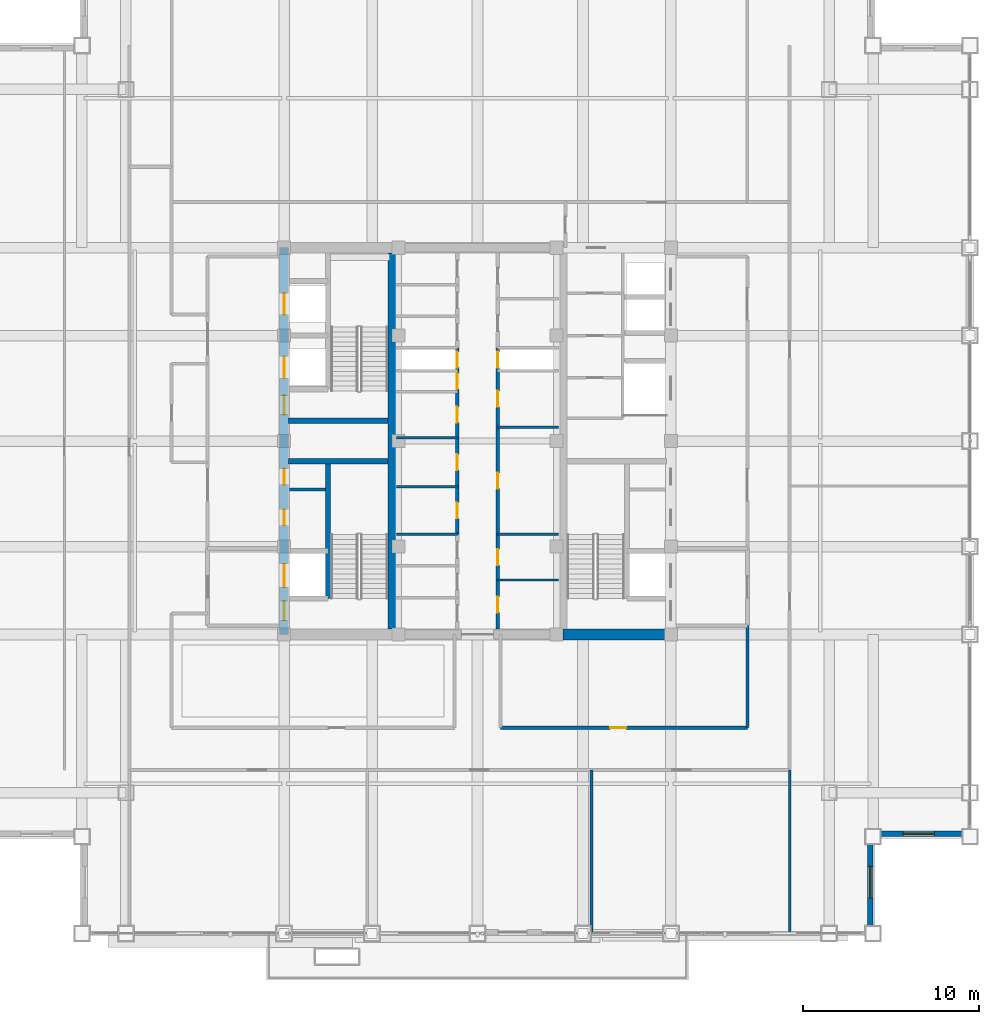
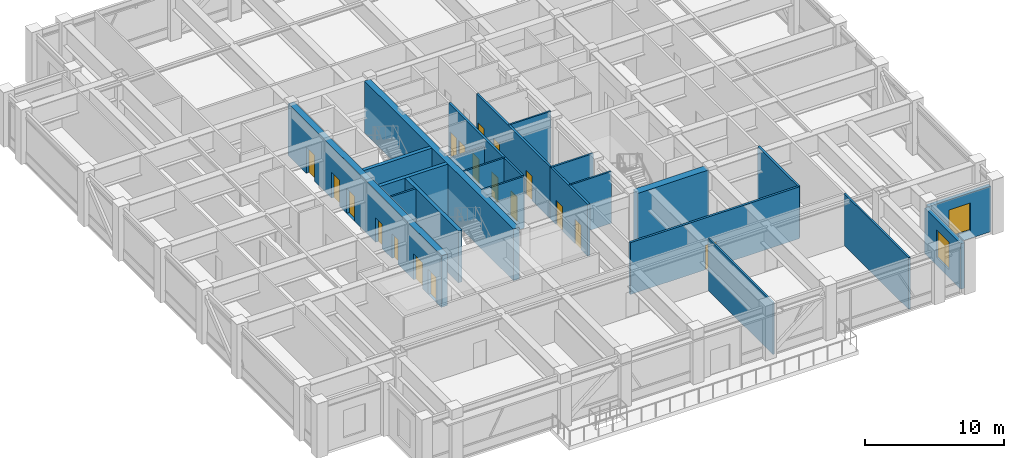
# One storey, part 23 of 31: 22 walls, 18 doors, 2 windows, 20 openings.
"""IFC4 building model written with IfcOpenShell, lengths in metres."""

from ifc_helpers import new_model, si_unit, direction, frame, frame_2d, origin, place, context, subcontext, project, spatial, rectangle, extrude, source, transform, mapped, material, layer, layer_set, type_object, element, fill, save


model = new_model("IFC4")

# Units and contexts
model_context = context("Model", 3, precision=1e-05, world=origin(), true_north=direction((0.0, 1.0)))
body_context = subcontext(model_context, "Body", "Model", "MODEL_VIEW")
ifc_project = project(units=[si_unit("LENGTHUNIT", "METRE"), si_unit("AREAUNIT", "SQUARE_METRE"), si_unit("VOLUMEUNIT", "CUBIC_METRE"), si_unit("PLANEANGLEUNIT", "RADIAN"), si_unit("MASSUNIT", "GRAM", prefix="KILO")], contexts=[model_context])

# Site, building, storey
site_placement = place(None, origin())
site = spatial("IfcSite", under=ifc_project, at=site_placement, CompositionType="ELEMENT")
building_placement = place(site_placement, origin())
building = spatial("IfcBuilding", under=site, at=building_placement, Name="Khorayat Bourse Tower", CompositionType="ELEMENT")
storey_placement = place(building_placement, frame((0.0, 0.0, 321.5)))
storey = spatial("IfcBuildingStorey", under=building, at=storey_placement, Name="L76", CompositionType="ELEMENT", Elevation=321.5)

# Wall, openings, doors
ifc_material_1 = material(Name="Concrete C52/65", Category="concrete")
ifc_layer_1 = layer(ifc_material_1, 0.5)
ifc_layer_set_1 = layer_set([ifc_layer_1], Name="Concrete C52/65")
wall_type_1 = type_object("IfcWallType", Name="WAL-CORE-500", PredefinedType="SHEAR", material=ifc_layer_set_1)
shared_shape_1 = source(origin(), body_context, "Body", "SweptSolid", [
    extrude(rectangle(XDim=22.0, YDim=0.5, at=frame_2d((11.0, 0.0))), origin(), (0.0, 0.0, 1.0), 4.5400390625),
])
wall_1_placement = place(storey_placement, frame((-11.0, -11.0, 0.0), z_axis=(0.0, 0.0, 1.0), x_axis=(0.0, 1.0, 0.0)))
wall_1 = element("IfcWall", 1, at=wall_1_placement, inside=storey, type_object=wall_type_1, Name="L76 Core Shear Wall CORE-W", PredefinedType="SHEAR", context=body_context, shape_type="MappedRepresentation", body=[
    mapped(shared_shape_1, transform((0.0, 0.0, 0.0), scale=1.0)),
])
shared_shape_2 = source(origin(), body_context, "Body", "SweptSolid", [
    extrude(rectangle(XDim=1.10009765625, YDim=2.199951171875, at=frame_2d((0.550048828125, 1.10009765625))), frame((0.0, 0.260009765625, 0.0), z_axis=(0.0, -1.0, 0.0), x_axis=(1.0, 0.0, 0.0)), (0.0, 0.0, 1.0), 0.52001953125),
])
opening_1_placement = place(wall_1_placement, frame((0.800048828125, 0.0, 0.0)))
opening_1 = element("IfcOpeningElement", 2, at=opening_1_placement, cuts=wall_1, Name="Opening DI-01", PredefinedType="OPENING", context=body_context, shape_type="MappedRepresentation", body=[
    mapped(shared_shape_2, transform((0.0, 0.0, 0.0), scale=1.0)),
])
opening_2_placement = place(wall_1_placement, frame((12.5, 0.0, 0.0)))
opening_2 = element("IfcOpeningElement", 3, at=opening_2_placement, cuts=wall_1, Name="Opening DI-01", PredefinedType="OPENING", context=body_context, shape_type="MappedRepresentation", body=[
    mapped(shared_shape_2, transform((0.0, 0.0, 0.0), scale=1.0)),
])
shared_shape_3 = source(origin(), body_context, "Body", "SweptSolid", [
    extrude(rectangle(XDim=0.89990234375, YDim=2.14990234375, at=frame_2d((0.449951171875, 1.074951171875))), frame((0.0, 0.260009765625, 0.0), z_axis=(0.0, -1.0, 0.0), x_axis=(1.0, 0.0, 0.0)), (0.0, 0.0, 1.0), 0.52001953125),
])
opening_3_placement = place(wall_1_placement, frame((6.199951171875, 0.0, 0.0)))
opening_3 = element("IfcOpeningElement", 4, at=opening_3_placement, cuts=wall_1, Name="Opening DI-06", PredefinedType="OPENING", context=body_context, shape_type="MappedRepresentation", body=[
    mapped(shared_shape_3, transform((0.0, 0.0, 0.0), scale=1.0)),
])
opening_4_placement = place(wall_1_placement, frame((8.52490234375, 0.0, 0.0)))
opening_4 = element("IfcOpeningElement", 5, at=opening_4_placement, cuts=wall_1, Name="Opening DI-06", PredefinedType="OPENING", context=body_context, shape_type="MappedRepresentation", body=[
    mapped(shared_shape_3, transform((0.0, 0.0, 0.0), scale=1.0)),
])
shared_shape_4 = source(origin(), body_context, "Body", "SweptSolid", [
    extrude(rectangle(XDim=1.199951171875, YDim=2.300048828125, at=frame_2d((0.60009765625, 1.14990234375))), frame((0.0, 0.260009765625, 0.0), z_axis=(0.0, -1.0, 0.0), x_axis=(1.0, 0.0, 0.0)), (0.0, 0.0, 1.0), 0.52001953125),
])
opening_5_placement = place(wall_1_placement, frame((14.60009765625, 0.0, 0.0)))
opening_5 = element("IfcOpeningElement", 6, at=opening_5_placement, cuts=wall_1, Name="Opening LD-01", PredefinedType="OPENING", context=body_context, shape_type="MappedRepresentation", body=[
    mapped(shared_shape_4, transform((0.0, 0.0, 0.0), scale=1.0)),
])
opening_6_placement = place(wall_1_placement, frame((18.199951171875, 0.0, 0.0)))
opening_6 = element("IfcOpeningElement", 7, at=opening_6_placement, cuts=wall_1, Name="Opening LD-01", PredefinedType="OPENING", context=body_context, shape_type="MappedRepresentation", body=[
    mapped(shared_shape_4, transform((0.0, 0.0, 0.0), scale=1.0)),
])
shared_shape_5 = source(origin(), body_context, "Body", "SweptSolid", [
    extrude(rectangle(XDim=1.300048828125, YDim=2.300048828125, at=frame_2d((0.64990234375, 1.14990234375))), frame((0.0, 0.260009765625, 0.0), z_axis=(0.0, -1.0, 0.0), x_axis=(1.0, 0.0, 0.0)), (0.0, 0.0, 1.0), 0.52001953125),
])
opening_7_placement = place(wall_1_placement, frame((2.699951171875, 0.0, 0.0)))
opening_7 = element("IfcOpeningElement", 8, at=opening_7_placement, cuts=wall_1, Name="Opening LD-02", PredefinedType="OPENING", context=body_context, shape_type="MappedRepresentation", body=[
    mapped(shared_shape_5, transform((0.0, 0.0, 0.0), scale=1.0)),
])
ifc_material_2 = material(Name="Fire-rated steel acoustic leaf", Category="steel")
door_type_1 = type_object("IfcDoorType", Name="DR-INT-STAIR-1100", OperationType="NOTDEFINED", PredefinedType="DOOR", material=ifc_material_2)
shared_shape_6 = source(origin(), body_context, "Body", "SweptSolid", [
    extrude(rectangle(XDim=1.10009765625, YDim=2.199951171875, at=frame_2d((0.550048828125, 1.10009765625))), frame((0.0, 0.02490234375, 0.0), z_axis=(0.0, -1.0, 0.0), x_axis=(1.0, 0.0, 0.0)), (0.0, 0.0, 1.0), 0.050048828125),
])
door_1_placement = place(opening_1_placement, origin())
door_1 = element("IfcDoor", 9, at=door_1_placement, inside=storey, type_object=door_type_1, Name="L76 Exit Stair 1 Door", OperationType="SINGLE_SWING_RIGHT", OverallHeight=2.199951171875, OverallWidth=1.10009765625, PredefinedType="DOOR", context=body_context, shape_type="MappedRepresentation", body=[
    mapped(shared_shape_6, transform((0.0, 0.0, 0.0), scale=1.0)),
])
fill(opening_1, door_1)
door_2_placement = place(opening_2_placement, origin())
door_2 = element("IfcDoor", 10, at=door_2_placement, inside=storey, type_object=door_type_1, Name="L76 Exit Stair 2 Door", OperationType="SINGLE_SWING_RIGHT", OverallHeight=2.199951171875, OverallWidth=1.10009765625, PredefinedType="DOOR", context=body_context, shape_type="MappedRepresentation", body=[
    mapped(shared_shape_6, transform((0.0, 0.0, 0.0), scale=1.0)),
])
fill(opening_2, door_2)
ifc_material_3 = material(Name="Moisture-resistant laminate washroom door")
door_type_2 = type_object("IfcDoorType", Name="DR-INT-WC-900", OperationType="NOTDEFINED", PredefinedType="DOOR", material=ifc_material_3)
shared_shape_7 = source(origin(), body_context, "Body", "SweptSolid", [
    extrude(rectangle(XDim=0.89990234375, YDim=2.14990234375, at=frame_2d((0.449951171875, 1.074951171875))), frame((0.0, 0.02490234375, 0.0), z_axis=(0.0, -1.0, 0.0), x_axis=(1.0, 0.0, 0.0)), (0.0, 0.0, 1.0), 0.050048828125),
])
door_3_placement = place(opening_3_placement, origin())
door_3 = element("IfcDoor", 11, at=door_3_placement, inside=storey, type_object=door_type_2, Name="L76 Switch Closet Door", OperationType="SINGLE_SWING_RIGHT", OverallHeight=2.14990234375, OverallWidth=0.89990234375, PredefinedType="DOOR", context=body_context, shape_type="MappedRepresentation", body=[
    mapped(shared_shape_7, transform((0.0, 0.0, 0.0), scale=1.0)),
])
fill(opening_3, door_3)
door_4_placement = place(opening_4_placement, origin())
door_4 = element("IfcDoor", 12, at=door_4_placement, inside=storey, type_object=door_type_2, Name="L76 Janitor Store Door", OperationType="SINGLE_SWING_LEFT", OverallHeight=2.14990234375, OverallWidth=0.89990234375, PredefinedType="DOOR", context=body_context, shape_type="MappedRepresentation", body=[
    mapped(shared_shape_7, transform((0.0, 0.0, 0.0), scale=1.0)),
])
fill(opening_4, door_4)
ifc_material_4 = material(Name="Brushed bronze stainless-steel sliding door", Category="steel")
door_type_3 = type_object("IfcDoorType", Name="DR-LIFT-PASS-1200", OperationType="NOTDEFINED", PredefinedType="DOOR", material=ifc_material_4)
shared_shape_8 = source(origin(), body_context, "Body", "SweptSolid", [
    extrude(rectangle(XDim=1.199951171875, YDim=2.300048828125, at=frame_2d((0.60009765625, 1.14990234375))), frame((0.0, 0.02490234375, 0.0), z_axis=(0.0, -1.0, 0.0), x_axis=(1.0, 0.0, 0.0)), (0.0, 0.0, 1.0), 0.050048828125),
])
door_5_placement = place(opening_5_placement, origin())
door_5 = element("IfcDoor", 13, at=door_5_placement, inside=storey, type_object=door_type_3, Name="L76 Lift PL-H1 Sliding Landing Door", OperationType="SLIDING_TO_LEFT", OverallHeight=2.300048828125, OverallWidth=1.199951171875, PredefinedType="DOOR", context=body_context, shape_type="MappedRepresentation", body=[
    mapped(shared_shape_8, transform((0.0, 0.0, 0.0), scale=1.0)),
])
fill(opening_5, door_5)
door_6_placement = place(opening_6_placement, origin())
door_6 = element("IfcDoor", 14, at=door_6_placement, inside=storey, type_object=door_type_3, Name="L76 Lift PL-H2 Sliding Landing Door", OperationType="SLIDING_TO_LEFT", OverallHeight=2.300048828125, OverallWidth=1.199951171875, PredefinedType="DOOR", context=body_context, shape_type="MappedRepresentation", body=[
    mapped(shared_shape_8, transform((0.0, 0.0, 0.0), scale=1.0)),
])
fill(opening_6, door_6)
ifc_material_5 = material(Name="Fire-rated stainless-steel sliding landing door", Category="steel")
door_type_4 = type_object("IfcDoorType", Name="DR-LIFT-FF-1300", OperationType="NOTDEFINED", PredefinedType="DOOR", material=ifc_material_5)
shared_shape_9 = source(origin(), body_context, "Body", "SweptSolid", [
    extrude(rectangle(XDim=1.300048828125, YDim=2.300048828125, at=frame_2d((0.64990234375, 1.14990234375))), frame((0.0, 0.02490234375, 0.0), z_axis=(0.0, -1.0, 0.0), x_axis=(1.0, 0.0, 0.0)), (0.0, 0.0, 1.0), 0.050048828125),
])
door_7_placement = place(opening_7_placement, origin())
door_7 = element("IfcDoor", 15, at=door_7_placement, inside=storey, type_object=door_type_4, Name="L76 Lift FFL-01 Sliding Landing Door", OperationType="SLIDING_TO_LEFT", OverallHeight=2.300048828125, OverallWidth=1.300048828125, PredefinedType="DOOR", context=body_context, shape_type="MappedRepresentation", body=[
    mapped(shared_shape_9, transform((0.0, 0.0, 0.0), scale=1.0)),
])
fill(opening_7, door_7)

# Walls
shared_shape_10 = source(origin(), body_context, "Body", "SweptSolid", [
    extrude(rectangle(XDim=21.39990234375, YDim=0.5, at=frame_2d((10.699951171875, 0.0))), origin(), (0.0, 0.0, 1.0), 4.5400390625),
])
wall_2_placement = place(storey_placement, frame((-4.85009765625, -10.699951171875, 0.0), z_axis=(0.0, 0.0, 1.0), x_axis=(0.0, 1.0, 0.0)))
element("IfcWall", 16, at=wall_2_placement, inside=storey, type_object=wall_type_1, Name="L76 Core Shear Wall PIER-W", PredefinedType="SHEAR", context=body_context, shape_type="MappedRepresentation", body=[
    mapped(shared_shape_10, transform((0.0, 0.0, 0.0), scale=1.0)),
])
ifc_material_6 = material(Name="Concrete C60/75", Category="concrete")
ifc_layer_2 = layer(ifc_material_6, 0.60009765625)
ifc_layer_set_2 = layer_set([ifc_layer_2], Name="Concrete C60/75")
wall_type_2 = type_object("IfcWallType", Name="WAL-CORE-600", PredefinedType="SHEAR", material=ifc_layer_set_2)
shared_shape_11 = source(origin(), body_context, "Body", "SweptSolid", [
    extrude(rectangle(XDim=5.89990234375, YDim=0.60009765625, at=frame_2d((2.949951171875, 0.0))), origin(), (0.0, 0.0, 1.0), 4.5400390625),
])
wall_3_placement = place(storey_placement, frame((4.85009765625, -11.0, 0.0), z_axis=(0.0, 0.0, 1.0), x_axis=(1.0, 0.0, 0.0)))
element("IfcWall", 17, at=wall_3_placement, inside=storey, type_object=wall_type_2, Name="L76 Core Shear Wall PIER-ES", PredefinedType="SHEAR", context=body_context, shape_type="MappedRepresentation", body=[
    mapped(shared_shape_11, transform((0.0, 0.0, 0.0), scale=1.0)),
])
ifc_material_7 = material(Name="Concrete C50/60", Category="concrete")
ifc_layer_3 = layer(ifc_material_7, 0.300048828125)
ifc_layer_set_3 = layer_set([ifc_layer_3], Name="Concrete C50/60")
wall_type_3 = type_object("IfcWallType", Name="WAL-SHAFT-300", PredefinedType="SHEAR", material=ifc_layer_set_3)
shared_shape_12 = source(origin(), body_context, "Body", "SweptSolid", [
    extrude(rectangle(XDim=5.64990234375, YDim=0.300048828125, at=frame_2d((2.824951171875, 0.0))), origin(), (0.0, 0.0, 1.0), 4.5400390625),
])
for number, where, z_axis, x_axis, name in (
    (18, (-10.75, -1.14990234375, 0.0), (0.0, 0.0, 1.0), (1.0, 0.0, 0.0), "L76 Core Shear Wall ST1-DIV"),
    (19, (-10.75, 1.14990234375, 0.0), (0.0, 0.0, 1.0), (1.0, 0.0, 0.0), "L76 Core Shear Wall ST2-DIV"),
):
    element("IfcWall", number, at=place(storey_placement, frame(where, z_axis=z_axis, x_axis=x_axis)), inside=storey, type_object=wall_type_3, Name=name, PredefinedType="SHEAR", context=body_context, shape_type="MappedRepresentation", body=[
        mapped(shared_shape_12, transform((0.0, 0.0, 0.0), scale=1.0)),
    ])

# Wall, opening, window
ifc_material_8 = material(Name="Precast concrete C45/55", Category="concrete")
ifc_layer_4 = layer(ifc_material_8, 0.320068359375)
ifc_layer_set_4 = layer_set([ifc_layer_4], Name="Precast concrete C45/55")
wall_type_4 = type_object("IfcWallType", Name="WAL-EXT-STONE-320", PredefinedType="STANDARD", material=ifc_layer_set_4)
shared_shape_13 = source(origin(), body_context, "Body", "SweptSolid", [
    extrude(rectangle(XDim=5.179931640625, YDim=0.320068359375, at=frame_2d((2.58984375, 0.0))), origin(), (0.0, 0.0, 1.0), 3.990966796875),
])
wall_4_placement = place(storey_placement, frame((22.340087890625, -27.679931640625, 0.0), z_axis=(0.0, 0.0, 1.0), x_axis=(0.0, 1.0, 0.0)))
wall_4 = element("IfcWall", 20, at=wall_4_placement, inside=storey, type_object=wall_type_4, Name="L76 Re-Entrant Notch Limestone Wall SE-V", PredefinedType="STANDARD", context=body_context, shape_type="MappedRepresentation", body=[
    mapped(shared_shape_13, transform((0.0, 0.0, 0.0), scale=1.0)),
])
shared_shape_14 = source(origin(), body_context, "Body", "SweptSolid", [
    extrude(rectangle(XDim=1.800048828125, YDim=2.39990234375, at=frame_2d((0.89990234375, 1.199951171875))), frame((0.0, 0.169921875, 0.0), z_axis=(0.0, -1.0, 0.0), x_axis=(1.0, 0.0, 0.0)), (0.0, 0.0, 1.0), 0.340087890625),
])
opening_8_placement = place(wall_4_placement, frame((1.68994140625, 0.0, 0.699951171875)))
opening_8 = element("IfcOpeningElement", 21, at=opening_8_placement, cuts=wall_4, Name="Opening WN-04", PredefinedType="OPENING", context=body_context, shape_type="MappedRepresentation", body=[
    mapped(shared_shape_14, transform((0.0, 0.0, 0.0), scale=1.0)),
])
ifc_material_9 = material(Name="Low-E acoustic laminated double glazing", Category="glass")
window_type = type_object("IfcWindowType", Name="WIN-NOTCH-1800x2400", PartitioningType="SINGLE_PANEL", PredefinedType="WINDOW", material=ifc_material_9)
shared_shape_15 = source(origin(), body_context, "Body", "SweptSolid", [
    extrude(rectangle(XDim=1.800048828125, YDim=2.39990234375, at=frame_2d((0.89990234375, 1.199951171875))), frame((0.0, 0.030029296875, 0.0), z_axis=(0.0, -1.0, 0.0), x_axis=(1.0, 0.0, 0.0)), (0.0, 0.0, 1.0), 0.06005859375),
])
window_1_placement = place(opening_8_placement, origin())
window_1 = element("IfcWindow", 22, at=window_1_placement, inside=storey, type_object=window_type, Name="L76 Facade Window 1", OverallHeight=2.39990234375, OverallWidth=1.800048828125, PartitioningType="SINGLE_PANEL", PredefinedType="WINDOW", context=body_context, shape_type="MappedRepresentation", body=[
    mapped(shared_shape_15, transform((0.0, 0.0, 0.0), scale=1.0)),
])
fill(opening_8, window_1)

wall_5_placement = place(storey_placement, frame((22.5, -22.340087890625, 0.0), z_axis=(0.0, 0.0, 1.0), x_axis=(1.0, 0.0, 0.0)))
wall_5 = element("IfcWall", 23, at=wall_5_placement, inside=storey, type_object=wall_type_4, Name="L76 Re-Entrant Notch Limestone Wall SE-H", PredefinedType="STANDARD", context=body_context, shape_type="MappedRepresentation", body=[
    mapped(shared_shape_13, transform((0.0, 0.0, 0.0), scale=1.0)),
])
opening_9_placement = place(wall_5_placement, frame((1.68994140625, 0.0, 0.699951171875)))
opening_9 = element("IfcOpeningElement", 24, at=opening_9_placement, cuts=wall_5, Name="Opening WN-04", PredefinedType="OPENING", context=body_context, shape_type="MappedRepresentation", body=[
    mapped(shared_shape_14, transform((0.0, 0.0, 0.0), scale=1.0)),
])
window_2_placement = place(opening_9_placement, origin())
window_2 = element("IfcWindow", 25, at=window_2_placement, inside=storey, type_object=window_type, Name="L76 Facade Window 1", OverallHeight=2.39990234375, OverallWidth=1.800048828125, PartitioningType="SINGLE_PANEL", PredefinedType="WINDOW", context=body_context, shape_type="MappedRepresentation", body=[
    mapped(shared_shape_15, transform((0.0, 0.0, 0.0), scale=1.0)),
])
fill(opening_9, window_2)

# Walls
shared_shape_16 = source(origin(), body_context, "Body", "SweptSolid", [
    extrude(rectangle(XDim=7.800048828125, YDim=0.300048828125, at=frame_2d((3.89990234375, 0.0))), origin(), (0.0, 0.0, 1.0), 4.5400390625),
])
wall_6_placement = place(storey_placement, frame((-8.5, -8.949951171875, 0.0), z_axis=(0.0, 0.0, 1.0), x_axis=(0.0, 1.0, 0.0)))
element("IfcWall", 26, at=wall_6_placement, inside=storey, type_object=wall_type_3, Name="L76 Partition WAL-L76-WPIER-SP", PredefinedType="SHEAR", context=body_context, shape_type="MappedRepresentation", body=[
    mapped(shared_shape_16, transform((0.0, 0.0, 0.0), scale=1.0)),
])
ifc_material_10 = material(Name="Gypsum plasterboard twin-frame partition")
ifc_layer_5 = layer(ifc_material_10, 0.14990234375)
ifc_layer_set_5 = layer_set([ifc_layer_5], Name="Gypsum plasterboard twin-frame partition")
wall_type_5 = type_object("IfcWallType", Name="WAL-PART-SUITE-150", PredefinedType="PARTITIONING", material=ifc_layer_set_5)
shared_shape_17 = source(origin(), body_context, "Body", "SweptSolid", [
    extrude(rectangle(XDim=2.050048828125, YDim=0.14990234375, at=frame_2d((1.02490234375, 0.0))), origin(), (0.0, 0.0, 1.0), 4.5400390625),
])
wall_7_placement = place(storey_placement, frame((-10.699951171875, -2.75, 0.0), z_axis=(0.0, 0.0, 1.0), x_axis=(1.0, 0.0, 0.0)))
element("IfcWall", 27, at=wall_7_placement, inside=storey, type_object=wall_type_5, Name="L76 Partition WAL-L76-WSRV-D1", PredefinedType="PARTITIONING", context=body_context, shape_type="MappedRepresentation", body=[
    mapped(shared_shape_17, transform((0.0, 0.0, 0.0), scale=1.0)),
])
shared_shape_18 = source(origin(), body_context, "Body", "SweptSolid", [
    extrude(rectangle(XDim=3.4501953125, YDim=0.14990234375, at=frame_2d((1.72509765625, 0.0))), origin(), (0.0, 0.0, 1.0), 4.5400390625),
])
for number, where, z_axis, x_axis, name in (
    (28, (-4.60009765625, -5.300048828125, 0.0), (0.0, 0.0, 1.0), (1.0, 0.0, 0.0), "L76 Partition WAL-L76-FB1-NW"),
    (29, (1.14990234375, -5.300048828125, 0.0), (0.0, 0.0, 1.0), (1.0, 0.0, 0.0), "L76 Partition WAL-L76-FB1-NE"),
):
    element("IfcWall", number, at=place(storey_placement, frame(where, z_axis=z_axis, x_axis=x_axis)), inside=storey, type_object=wall_type_5, Name=name, PredefinedType="PARTITIONING", context=body_context, shape_type="MappedRepresentation", body=[
        mapped(shared_shape_18, transform((0.0, 0.0, 0.0), scale=1.0)),
    ])
ifc_material_11 = material(Name="Moisture-resistant masonry partition", Category="masonry")
ifc_layer_6 = layer(ifc_material_11, 0.139892578125)
ifc_layer_set_6 = layer_set([ifc_layer_6], Name="Moisture-resistant masonry partition")
wall_type_6 = type_object("IfcWallType", Name="WAL-PART-WET-140", PredefinedType="PARTITIONING", material=ifc_layer_set_6)
shared_shape_19 = source(origin(), body_context, "Body", "SweptSolid", [
    extrude(rectangle(XDim=3.4501953125, YDim=0.139892578125, at=frame_2d((1.72509765625, 0.0))), origin(), (0.0, 0.0, 1.0), 4.5400390625),
])
for number, where, z_axis, x_axis, name in (
    (30, (1.14990234375, -7.89990234375, 0.0), (0.0, 0.0, 1.0), (1.0, 0.0, 0.0), "L76 Partition WAL-L76-FB1E-D1"),
    (31, (-4.60009765625, -2.60009765625, 0.0), (0.0, 0.0, 1.0), (1.0, 0.0, 0.0), "L76 Partition WAL-L76-CMW-D1"),
    (32, (1.14990234375, 0.800048828125, 0.0), (0.0, 0.0, 1.0), (1.0, 0.0, 0.0), "L76 Partition WAL-L76-CME-D1"),
):
    element("IfcWall", number, at=place(storey_placement, frame(where, z_axis=z_axis, x_axis=x_axis)), inside=storey, type_object=wall_type_6, Name=name, PredefinedType="PARTITIONING", context=body_context, shape_type="MappedRepresentation", body=[
        mapped(shared_shape_19, transform((0.0, 0.0, 0.0), scale=1.0)),
    ])

# Wall, openings, doors
ifc_material_12 = material(Name="Gypsum plasterboard acoustic stud wall")
ifc_layer_7 = layer(ifc_material_12, 0.179931640625)
ifc_layer_set_7 = layer_set([ifc_layer_7], Name="Gypsum plasterboard acoustic stud wall")
wall_type_7 = type_object("IfcWallType", Name="WAL-PART-CORR-180", PredefinedType="PARTITIONING", material=ifc_layer_set_7)
shared_shape_20 = source(origin(), body_context, "Body", "SweptSolid", [
    extrude(rectangle(XDim=5.39990234375, YDim=0.179931640625, at=frame_2d((2.699951171875, 0.0))), origin(), (0.0, 0.0, 1.0), 4.5400390625),
])
wall_8_placement = place(storey_placement, frame((1.14990234375, -10.699951171875, 0.0), z_axis=(0.0, 0.0, 1.0), x_axis=(0.0, 1.0, 0.0)))
wall_8 = element("IfcWall", 33, at=wall_8_placement, inside=storey, type_object=wall_type_7, Name="L76 Partition WAL-L76-FB1E-L", PredefinedType="PARTITIONING", context=body_context, shape_type="MappedRepresentation", body=[
    mapped(shared_shape_20, transform((0.0, 0.0, 0.0), scale=1.0)),
])
shared_shape_21 = source(origin(), body_context, "Body", "SweptSolid", [
    extrude(rectangle(XDim=0.89990234375, YDim=2.14990234375, at=frame_2d((0.449951171875, 1.074951171875))), frame((0.0, 0.099853515625, 0.0), z_axis=(0.0, -1.0, 0.0), x_axis=(1.0, 0.0, 0.0)), (0.0, 0.0, 1.0), 0.199951171875),
])
opening_10_placement = place(wall_8_placement, frame((0.949951171875, 0.0, 0.0)))
opening_10 = element("IfcOpeningElement", 34, at=opening_10_placement, cuts=wall_8, Name="Opening DI-06", PredefinedType="OPENING", context=body_context, shape_type="MappedRepresentation", body=[
    mapped(shared_shape_21, transform((0.0, 0.0, 0.0), scale=1.0)),
])
opening_11_placement = place(wall_8_placement, frame((3.64990234375, 0.0, 0.0)))
opening_11 = element("IfcOpeningElement", 35, at=opening_11_placement, cuts=wall_8, Name="Opening DI-06", PredefinedType="OPENING", context=body_context, shape_type="MappedRepresentation", body=[
    mapped(shared_shape_21, transform((0.0, 0.0, 0.0), scale=1.0)),
])
door_8_placement = place(opening_10_placement, origin())
door_8 = element("IfcDoor", 36, at=door_8_placement, inside=storey, type_object=door_type_2, Name="L76 UPS Switch Plant Room Door", OperationType="SINGLE_SWING_RIGHT", OverallHeight=2.14990234375, OverallWidth=0.89990234375, PredefinedType="DOOR", context=body_context, shape_type="MappedRepresentation", body=[
    mapped(shared_shape_7, transform((0.0, 0.0, 0.0), scale=1.0)),
])
fill(opening_10, door_8)
door_9_placement = place(opening_11_placement, origin())
door_9 = element("IfcDoor", 37, at=door_9_placement, inside=storey, type_object=door_type_2, Name="L76 Reprographics Store Door", OperationType="SINGLE_SWING_LEFT", OverallHeight=2.14990234375, OverallWidth=0.89990234375, PredefinedType="DOOR", context=body_context, shape_type="MappedRepresentation", body=[
    mapped(shared_shape_7, transform((0.0, 0.0, 0.0), scale=1.0)),
])
fill(opening_11, door_9)

# Wall
shared_shape_22 = source(origin(), body_context, "Body", "SweptSolid", [
    extrude(rectangle(XDim=3.4501953125, YDim=0.139892578125, at=frame_2d((1.72509765625, 0.0))), origin(), (0.0, 0.0, 1.0), 3.844970703125),
])
wall_9_placement = place(storey_placement, frame((-4.60009765625, 0.199951171875, 0.0), z_axis=(0.0, 0.0, 1.0), x_axis=(1.0, 0.0, 0.0)))
element("IfcWall", 38, at=wall_9_placement, inside=storey, type_object=wall_type_6, Name="L76 Partition WAL-L76-CMW-D2", PredefinedType="PARTITIONING", context=body_context, shape_type="MappedRepresentation", body=[
    mapped(shared_shape_22, transform((0.0, 0.0, 0.0), scale=1.0)),
])

# Wall, openings, doors
shared_shape_23 = source(origin(), body_context, "Body", "SweptSolid", [
    extrude(rectangle(XDim=10.60009765625, YDim=0.179931640625, at=frame_2d((5.300048828125, 0.0))), origin(), (0.0, 0.0, 1.0), 4.5400390625),
])
wall_10_placement = place(storey_placement, frame((-1.14990234375, -5.300048828125, 0.0), z_axis=(0.0, 0.0, 1.0), x_axis=(0.0, 1.0, 0.0)))
wall_10 = element("IfcWall", 39, at=wall_10_placement, inside=storey, type_object=wall_type_7, Name="L76 Partition WAL-L76-CMW-L", PredefinedType="PARTITIONING", context=body_context, shape_type="MappedRepresentation", body=[
    mapped(shared_shape_23, transform((0.0, 0.0, 0.0), scale=1.0)),
])
opening_12_placement = place(wall_10_placement, frame((0.89990234375, 0.0, 0.0)))
opening_12 = element("IfcOpeningElement", 40, at=opening_12_placement, cuts=wall_10, Name="Opening DI-06", PredefinedType="OPENING", context=body_context, shape_type="MappedRepresentation", body=[
    mapped(shared_shape_21, transform((0.0, 0.0, 0.0), scale=1.0)),
])
opening_13_placement = place(wall_10_placement, frame((3.64990234375, 0.0, 0.0)))
opening_13 = element("IfcOpeningElement", 41, at=opening_13_placement, cuts=wall_10, Name="Opening DI-06", PredefinedType="OPENING", context=body_context, shape_type="MappedRepresentation", body=[
    mapped(shared_shape_21, transform((0.0, 0.0, 0.0), scale=1.0)),
])
opening_14_placement = place(wall_10_placement, frame((6.35009765625, 0.0, 0.0)))
opening_14 = element("IfcOpeningElement", 42, at=opening_14_placement, cuts=wall_10, Name="Opening DI-06", PredefinedType="OPENING", context=body_context, shape_type="MappedRepresentation", body=[
    mapped(shared_shape_21, transform((0.0, 0.0, 0.0), scale=1.0)),
])
opening_15_placement = place(wall_10_placement, frame((8.25, 0.0, 0.0)))
opening_15 = element("IfcOpeningElement", 43, at=opening_15_placement, cuts=wall_10, Name="Opening DI-06", PredefinedType="OPENING", context=body_context, shape_type="MappedRepresentation", body=[
    mapped(shared_shape_21, transform((0.0, 0.0, 0.0), scale=1.0)),
])
opening_16_placement = place(wall_10_placement, frame((9.47509765625, 0.0, 0.0)))
opening_16 = element("IfcOpeningElement", 44, at=opening_16_placement, cuts=wall_10, Name="Opening DI-06", PredefinedType="OPENING", context=body_context, shape_type="MappedRepresentation", body=[
    mapped(shared_shape_21, transform((0.0, 0.0, 0.0), scale=1.0)),
])
door_10_placement = place(opening_12_placement, origin())
door_10 = element("IfcDoor", 45, at=door_10_placement, inside=storey, type_object=door_type_2, Name="L76 Cleaners Store Door", OperationType="SINGLE_SWING_RIGHT", OverallHeight=2.14990234375, OverallWidth=0.89990234375, PredefinedType="DOOR", context=body_context, shape_type="MappedRepresentation", body=[
    mapped(shared_shape_7, transform((0.0, 0.0, 0.0), scale=1.0)),
])
fill(opening_12, door_10)
door_11_placement = place(opening_13_placement, origin())
door_11 = element("IfcDoor", 46, at=door_11_placement, inside=storey, type_object=door_type_2, Name="L76 Male Core Washroom Door", OperationType="SINGLE_SWING_LEFT", OverallHeight=2.14990234375, OverallWidth=0.89990234375, PredefinedType="DOOR", context=body_context, shape_type="MappedRepresentation", body=[
    mapped(shared_shape_7, transform((0.0, 0.0, 0.0), scale=1.0)),
])
fill(opening_13, door_11)
door_12_placement = place(opening_14_placement, origin())
door_12 = element("IfcDoor", 47, at=door_12_placement, inside=storey, type_object=door_type_2, Name="L76 Electrical Closet Door", OperationType="SINGLE_SWING_RIGHT", OverallHeight=2.14990234375, OverallWidth=0.89990234375, PredefinedType="DOOR", context=body_context, shape_type="MappedRepresentation", body=[
    mapped(shared_shape_7, transform((0.0, 0.0, 0.0), scale=1.0)),
])
fill(opening_14, door_12)
door_13_placement = place(opening_15_placement, origin())
door_13 = element("IfcDoor", 48, at=door_13_placement, inside=storey, type_object=door_type_2, Name="L76 Archive Cupboard Door", OperationType="SINGLE_SWING_LEFT", OverallHeight=2.14990234375, OverallWidth=0.89990234375, PredefinedType="DOOR", context=body_context, shape_type="MappedRepresentation", body=[
    mapped(shared_shape_7, transform((0.0, 0.0, 0.0), scale=1.0)),
])
fill(opening_15, door_13)
door_14_placement = place(opening_16_placement, origin())
door_14 = element("IfcDoor", 49, at=door_14_placement, inside=storey, type_object=door_type_2, Name="L76 West Core Riser Door", OperationType="SINGLE_SWING_LEFT", OverallHeight=2.14990234375, OverallWidth=0.89990234375, PredefinedType="DOOR", context=body_context, shape_type="MappedRepresentation", body=[
    mapped(shared_shape_7, transform((0.0, 0.0, 0.0), scale=1.0)),
])
fill(opening_16, door_14)

wall_11_placement = place(storey_placement, frame((1.14990234375, -5.300048828125, 0.0), z_axis=(0.0, 0.0, 1.0), x_axis=(0.0, 1.0, 0.0)))
wall_11 = element("IfcWall", 50, at=wall_11_placement, inside=storey, type_object=wall_type_7, Name="L76 Partition WAL-L76-CME-L", PredefinedType="PARTITIONING", context=body_context, shape_type="MappedRepresentation", body=[
    mapped(shared_shape_23, transform((0.0, 0.0, 0.0), scale=1.0)),
])
opening_17_placement = place(wall_11_placement, frame((2.60009765625, 0.0, 0.0)))
opening_17 = element("IfcOpeningElement", 51, at=opening_17_placement, cuts=wall_11, Name="Opening DI-06", PredefinedType="OPENING", context=body_context, shape_type="MappedRepresentation", body=[
    mapped(shared_shape_21, transform((0.0, 0.0, 0.0), scale=1.0)),
])
opening_18_placement = place(wall_11_placement, frame((7.25, 0.0, 0.0)))
opening_18 = element("IfcOpeningElement", 52, at=opening_18_placement, cuts=wall_11, Name="Opening DI-06", PredefinedType="OPENING", context=body_context, shape_type="MappedRepresentation", body=[
    mapped(shared_shape_21, transform((0.0, 0.0, 0.0), scale=1.0)),
])
opening_19_placement = place(wall_11_placement, frame((9.47509765625, 0.0, 0.0)))
opening_19 = element("IfcOpeningElement", 53, at=opening_19_placement, cuts=wall_11, Name="Opening DI-06", PredefinedType="OPENING", context=body_context, shape_type="MappedRepresentation", body=[
    mapped(shared_shape_21, transform((0.0, 0.0, 0.0), scale=1.0)),
])
door_15_placement = place(opening_17_placement, origin())
door_15 = element("IfcDoor", 54, at=door_15_placement, inside=storey, type_object=door_type_2, Name="L76 Female Core Washroom Door", OperationType="SINGLE_SWING_RIGHT", OverallHeight=2.14990234375, OverallWidth=0.89990234375, PredefinedType="DOOR", context=body_context, shape_type="MappedRepresentation", body=[
    mapped(shared_shape_7, transform((0.0, 0.0, 0.0), scale=1.0)),
])
fill(opening_17, door_15)
door_16_placement = place(opening_18_placement, origin())
door_16 = element("IfcDoor", 55, at=door_16_placement, inside=storey, type_object=door_type_2, Name="L76 Smoke Extract Fan Plant Room Door", OperationType="SINGLE_SWING_LEFT", OverallHeight=2.14990234375, OverallWidth=0.89990234375, PredefinedType="DOOR", context=body_context, shape_type="MappedRepresentation", body=[
    mapped(shared_shape_7, transform((0.0, 0.0, 0.0), scale=1.0)),
])
fill(opening_18, door_16)
door_17_placement = place(opening_19_placement, origin())
door_17 = element("IfcDoor", 56, at=door_17_placement, inside=storey, type_object=door_type_2, Name="L76 East Core Riser Door", OperationType="SINGLE_SWING_RIGHT", OverallHeight=2.14990234375, OverallWidth=0.89990234375, PredefinedType="DOOR", context=body_context, shape_type="MappedRepresentation", body=[
    mapped(shared_shape_7, transform((0.0, 0.0, 0.0), scale=1.0)),
])
fill(opening_19, door_17)

# Wall, opening, door
shared_shape_24 = source(origin(), body_context, "Body", "SweptSolid", [
    extrude(rectangle(XDim=14.050048828125, YDim=0.179931640625, at=frame_2d((7.02490234375, 0.0))), origin(), (0.0, 0.0, 1.0), 4.5400390625),
])
wall_12_placement = place(storey_placement, frame((1.300048828125, -16.300048828125, 0.0), z_axis=(0.0, 0.0, 1.0), x_axis=(1.0, 0.0, 0.0)))
wall_12 = element("IfcWall", 57, at=wall_12_placement, inside=storey, type_object=wall_type_7, Name="L76 Partition WAL-L76-PKSE-S", PredefinedType="PARTITIONING", context=body_context, shape_type="MappedRepresentation", body=[
    mapped(shared_shape_24, transform((0.0, 0.0, 0.0), scale=1.0)),
])
opening_20_placement = place(wall_12_placement, frame((6.25, 0.0, 0.0)))
opening_20 = element("IfcOpeningElement", 58, at=opening_20_placement, cuts=wall_12, Name="Opening DI-06", PredefinedType="OPENING", context=body_context, shape_type="MappedRepresentation", body=[
    mapped(shared_shape_21, transform((0.0, 0.0, 0.0), scale=1.0)),
])
door_18_placement = place(opening_20_placement, origin())
door_18 = element("IfcDoor", 59, at=door_18_placement, inside=storey, type_object=door_type_2, Name="L76 SE Inboard Study Door", OperationType="SINGLE_SWING_RIGHT", OverallHeight=2.14990234375, OverallWidth=0.89990234375, PredefinedType="DOOR", context=body_context, shape_type="MappedRepresentation", body=[
    mapped(shared_shape_7, transform((0.0, 0.0, 0.0), scale=1.0)),
])
fill(opening_20, door_18)

# Walls
shared_shape_25 = source(origin(), body_context, "Body", "SweptSolid", [
    extrude(rectangle(XDim=5.800048828125, YDim=0.179931640625, at=frame_2d((2.89990234375, 0.0))), origin(), (0.0, 0.0, 1.0), 4.5400390625),
])
wall_13_placement = place(storey_placement, frame((15.35009765625, -16.300048828125, 0.0), z_axis=(0.0, 0.0, 1.0), x_axis=(0.0, 1.0, 0.0)))
element("IfcWall", 60, at=wall_13_placement, inside=storey, type_object=wall_type_7, Name="L76 Partition WAL-L76-PKSE-E", PredefinedType="PARTITIONING", context=body_context, shape_type="MappedRepresentation", body=[
    mapped(shared_shape_25, transform((0.0, 0.0, 0.0), scale=1.0)),
])
shared_shape_26 = source(origin(), body_context, "Body", "SweptSolid", [
    extrude(rectangle(XDim=9.300048828125, YDim=0.14990234375, at=frame_2d((4.64990234375, 0.0))), origin(), (0.0, 0.0, 1.0), 4.5400390625),
])
for number, where, z_axis, x_axis, name in (
    (61, (6.485107421875, -28.0, 0.0), (0.0, 0.0, 1.0), (0.0, 1.0, 0.0), "L76 Partition WAL-L76-SDV-2"),
    (62, (17.75, -28.0, 0.0), (0.0, 0.0, 1.0), (0.0, 1.0, 0.0), "L76 Partition WAL-L76-SCE-END"),
):
    element("IfcWall", number, at=place(storey_placement, frame(where, z_axis=z_axis, x_axis=x_axis)), inside=storey, type_object=wall_type_5, Name=name, PredefinedType="PARTITIONING", context=body_context, shape_type="MappedRepresentation", body=[
        mapped(shared_shape_26, transform((0.0, 0.0, 0.0), scale=1.0)),
    ])

save(model, "model.ifc")
